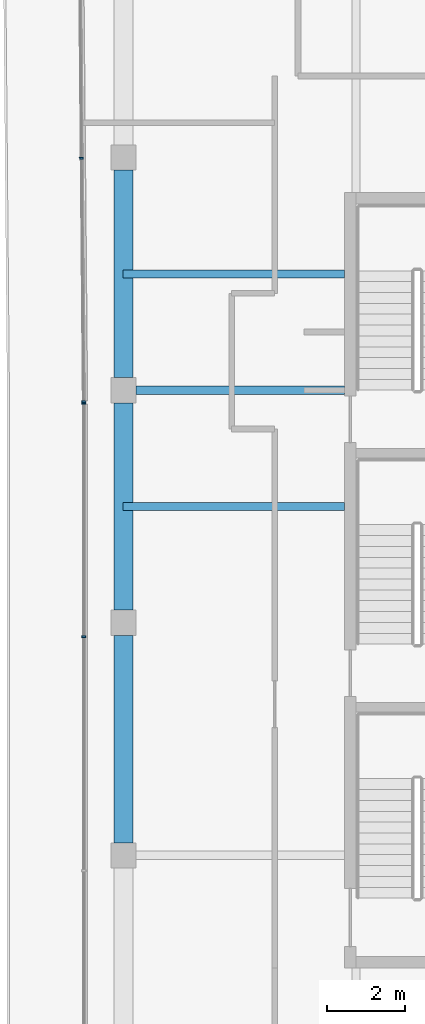
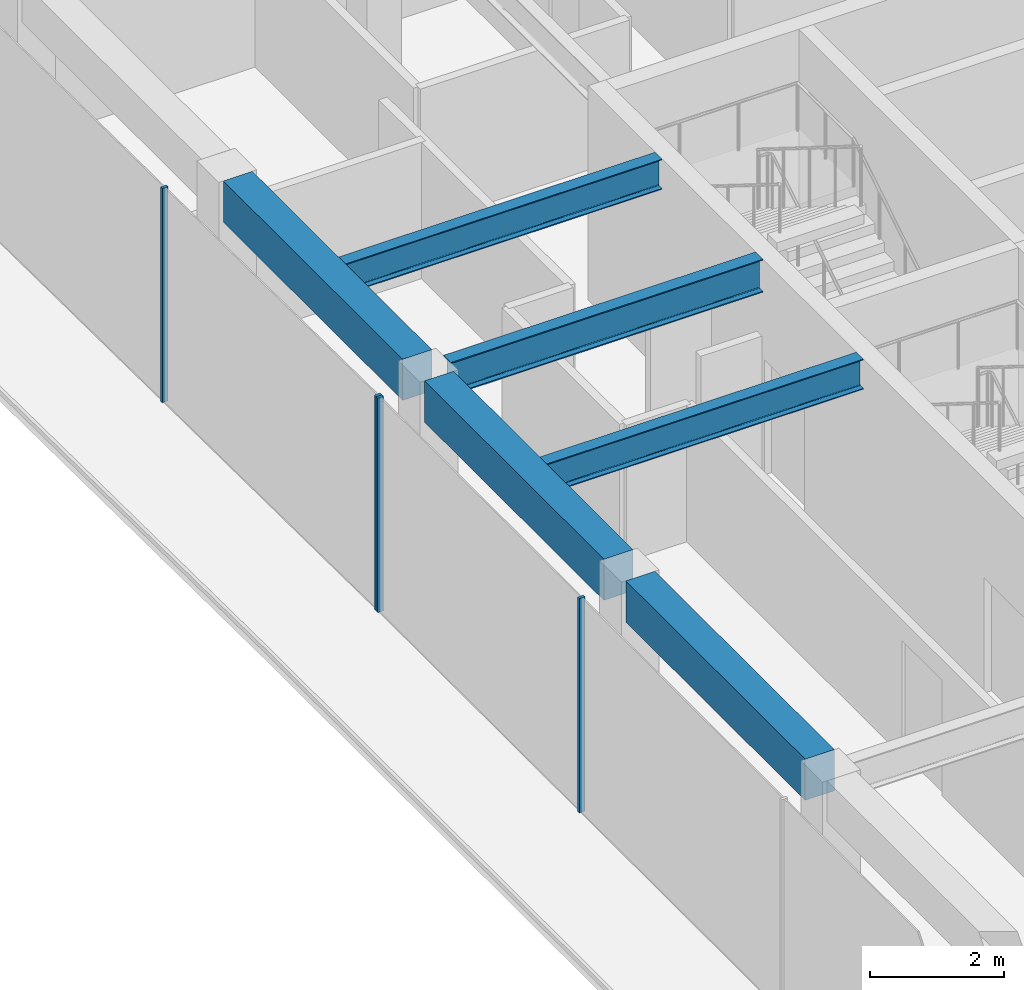
# One storey, part 5 of 21: 6 beams, 4 members, 2 elements without a shape of their own.
"""IFC4 building model written with IfcOpenShell, lengths in metres."""

from ifc_helpers import new_model, si_unit, direction, frame, origin, origin_2d, place, context, subcontext, project, spatial, rectangle, i_section, extrude, material, layer, layer_set, material_profile, profile_set, type_object, element, aggregate, save


model = new_model("IFC4")

# Units and contexts
model_context = context("Model", 3, precision=1e-05, world=origin(), true_north=direction((0.0, 1.0)))
body_context = subcontext(model_context, "Body", "Model", "MODEL_VIEW")
ifc_project = project(units=[si_unit("LENGTHUNIT", "METRE"), si_unit("AREAUNIT", "SQUARE_METRE"), si_unit("VOLUMEUNIT", "CUBIC_METRE"), si_unit("PLANEANGLEUNIT", "RADIAN"), si_unit("MASSUNIT", "GRAM", prefix="KILO")], contexts=[model_context])

# Site, building, storey
site_placement = place(None, origin())
site = spatial("IfcSite", under=ifc_project, at=site_placement, CompositionType="ELEMENT")
building_placement = place(site_placement, origin())
building = spatial("IfcBuilding", under=site, at=building_placement, Name="Welwitschia Terrace Campus", CompositionType="ELEMENT")
storey_placement = place(building_placement, frame((0.0, 0.0, 331.39990234375)))
storey = spatial("IfcBuildingStorey", under=building, at=storey_placement, Name="L74", CompositionType="ELEMENT", Elevation=331.39990234375)

# Beams
ifc_material_1 = material(Name="Steel S355", Category="steel")
ifc_material_profile_1 = material_profile(ifc_material_1, i_section(OverallWidth=0.2099609375, OverallDepth=0.550048828125, WebThickness=0.010986328125, FlangeThickness=0.01708984375, FilletRadius=0.02392578125, at=origin_2d()))
ifc_profile_set_1 = profile_set([ifc_material_profile_1], Name="Steel S355")
beam_type_1 = type_object("IfcBeamType", Name="Interior girder IPE 550", PredefinedType="BEAM", material=ifc_profile_set_1)
for number, where, z_axis, x_axis, name in (
    (1, (-0.010009765625, 17.0, 3.625), (1.0, 0.0, 0.0), (0.0, 1.0, 0.0), "Girder GB7"),
    (2, (-0.010009765625, 23.0, 3.625), (1.0, 0.0, 0.0), (0.0, 1.0, 0.0), "Girder GB7"),
):
    element("IfcBeam", number, at=place(storey_placement, frame(where, z_axis=z_axis, x_axis=x_axis)), inside=storey, type_object=beam_type_1, Name=name, PredefinedType="BEAM", context=body_context, shape_type="SweptSolid", body=[
        extrude(i_section(OverallWidth=0.2099609375, OverallDepth=0.550048828125, WebThickness=0.010986328125, FlangeThickness=0.01708984375, FilletRadius=0.02392578125, at=origin_2d()), origin(), (0.0, 0.0, 1.0), 5.708984375),
    ])

# Curtain wall, members
ifc_material_2 = material(Name="Bronze anodised aluminium", Category="aluminium")
ifc_layer = layer(ifc_material_2, 0.10009765625)
ifc_layer_set = layer_set([ifc_layer], Name="Bronze anodised aluminium")
curtain_wall_type = type_object("IfcCurtainWallType", Name="Curtain wall CW5 crown 6000", PredefinedType="NOTDEFINED", material=ifc_layer_set)
curtain_wall_1_placement = place(storey_placement, origin())
curtain_wall_1 = element("IfcCurtainWall", 3, at=curtain_wall_1_placement, inside=storey, type_object=curtain_wall_type, Name="CW L74.0.0", PredefinedType="NOTDEFINED")
ifc_material_3 = material(Name="Bronze anodised aluminium", Category="aluminium")
ifc_material_profile_2 = material_profile(ifc_material_3, rectangle(XDim=0.10009765625, YDim=0.050048828125, at=origin_2d()))
ifc_profile_set_2 = profile_set([ifc_material_profile_2], Name="Bronze anodised aluminium")
member_type = type_object("IfcMemberType", Name="Mullion 50x100", PredefinedType="MULLION", material=ifc_profile_set_2)
member_1_placement = place(storey_placement, frame((-1.0849609375, 25.985595703125, 0.0), z_axis=(0.0, 0.0, 1.0), x_axis=(0.999961923064, 0.008726535498, 0.0)))
member_1 = element("IfcMember", 4, at=member_1_placement, type_object=member_type, Name="Mullion L74.0.0.3", PredefinedType="MULLION", context=body_context, shape_type="SweptSolid", body=[
    extrude(rectangle(XDim=0.10009765625, YDim=0.050048828125, at=origin_2d()), origin(), (0.0, 0.0, 1.0), 3.900146484375),
])
member_2_placement = place(storey_placement, frame((-1.0302734375, 19.706787109375, 0.0), z_axis=(0.0, 0.0, 1.0), x_axis=(0.999961923064, 0.008726535498, 0.0)))
member_2 = element("IfcMember", 5, at=member_2_placement, type_object=member_type, Name="Mullion L74.0.0.4", PredefinedType="MULLION", context=body_context, shape_type="SweptSolid", body=[
    extrude(rectangle(XDim=0.10009765625, YDim=0.050048828125, at=origin_2d()), origin(), (0.0, 0.0, 1.0), 3.900146484375),
])
aggregate(curtain_wall_1, [member_1, member_2])

curtain_wall_2_placement = place(storey_placement, origin())
curtain_wall_2 = element("IfcCurtainWall", 6, at=curtain_wall_2_placement, inside=storey, type_object=curtain_wall_type, Name="CW L74.1.0", PredefinedType="NOTDEFINED")
member_3_placement = place(storey_placement, frame((-1.030029296875, 19.65673828125, 0.0), z_axis=(0.0, 0.0, 1.0), x_axis=(1.0, 0.0, 0.0)))
member_3 = element("IfcMember", 7, at=member_3_placement, type_object=member_type, Name="Mullion L74.1.0.0", PredefinedType="MULLION", context=body_context, shape_type="SweptSolid", body=[
    extrude(rectangle(XDim=0.10009765625, YDim=0.050048828125, at=origin_2d()), origin(), (0.0, 0.0, 1.0), 3.900146484375),
])
member_4_placement = place(storey_placement, frame((-1.030029296875, 13.645751953125, 0.0), z_axis=(0.0, 0.0, 1.0), x_axis=(1.0, 0.0, 0.0)))
member_4 = element("IfcMember", 8, at=member_4_placement, type_object=member_type, Name="Mullion L74.1.0.1", PredefinedType="MULLION", context=body_context, shape_type="SweptSolid", body=[
    extrude(rectangle(XDim=0.10009765625, YDim=0.050048828125, at=origin_2d()), origin(), (0.0, 0.0, 1.0), 3.900146484375),
])
aggregate(curtain_wall_2, [member_3, member_4])

# Beams
ifc_material_4 = material(Name="Steel S355", Category="steel")
ifc_material_profile_3 = material_profile(ifc_material_4, i_section(OverallWidth=0.219970703125, OverallDepth=0.60009765625, WebThickness=0.011962890625, FlangeThickness=0.01904296875, FilletRadius=0.02392578125, at=origin_2d()))
ifc_profile_set_3 = profile_set([ifc_material_profile_3], Name="Steel S355")
beam_type_2 = type_object("IfcBeamType", Name="Primary beam IPE 600", PredefinedType="BEAM", material=ifc_profile_set_3)
beam_placement = place(storey_placement, frame((0.325439453125, 20.0, 3.60009765625), z_axis=(1.0, 0.0, 0.0), x_axis=(0.0, 1.0, 0.0)))
element("IfcBeam", 9, at=beam_placement, inside=storey, type_object=beam_type_2, Name="Primary beam PB7", PredefinedType="BEAM", context=body_context, shape_type="SweptSolid", body=[
    extrude(i_section(OverallWidth=0.219970703125, OverallDepth=0.60009765625, WebThickness=0.011962890625, FlangeThickness=0.01904296875, FilletRadius=0.02392578125, at=origin_2d()), origin(), (0.0, 0.0, 1.0), 5.37451171875),
])
ifc_material_5 = material(Name="Concrete C40/50", Category="concrete")
ifc_material_profile_4 = material_profile(ifc_material_5, rectangle(XDim=0.5, YDim=0.75, at=origin_2d()))
ifc_profile_set_4 = profile_set([ifc_material_profile_4], Name="Concrete C40/50")
beam_type_3 = type_object("IfcBeamType", Name="Ring spandrel 500x750", PredefinedType="SPANDREL", material=ifc_profile_set_4)
for number, where, z_axis, x_axis, name in (
    (10, (0.0, 25.674560546875, 3.525146484375), (0.0, -1.0, 0.0), (1.0, 0.0, 0.0), "Spandrel SP5"),
    (11, (0.0, 19.674560546875, 3.525146484375), (0.0, -1.0, 0.0), (1.0, 0.0, 0.0), "Spandrel SP5"),
    (12, (0.0, 13.674560546875, 3.525146484375), (0.0, -1.0, 0.0), (1.0, 0.0, 0.0), "Spandrel SP5"),
):
    element("IfcBeam", number, at=place(storey_placement, frame(where, z_axis=z_axis, x_axis=x_axis)), inside=storey, type_object=beam_type_3, Name=name, PredefinedType="SPANDREL", context=body_context, shape_type="SweptSolid", body=[
        extrude(rectangle(XDim=0.5, YDim=0.75, at=origin_2d()), origin(), (0.0, 0.0, 1.0), 5.34912109375),
    ])

save(model, "model.ifc")
